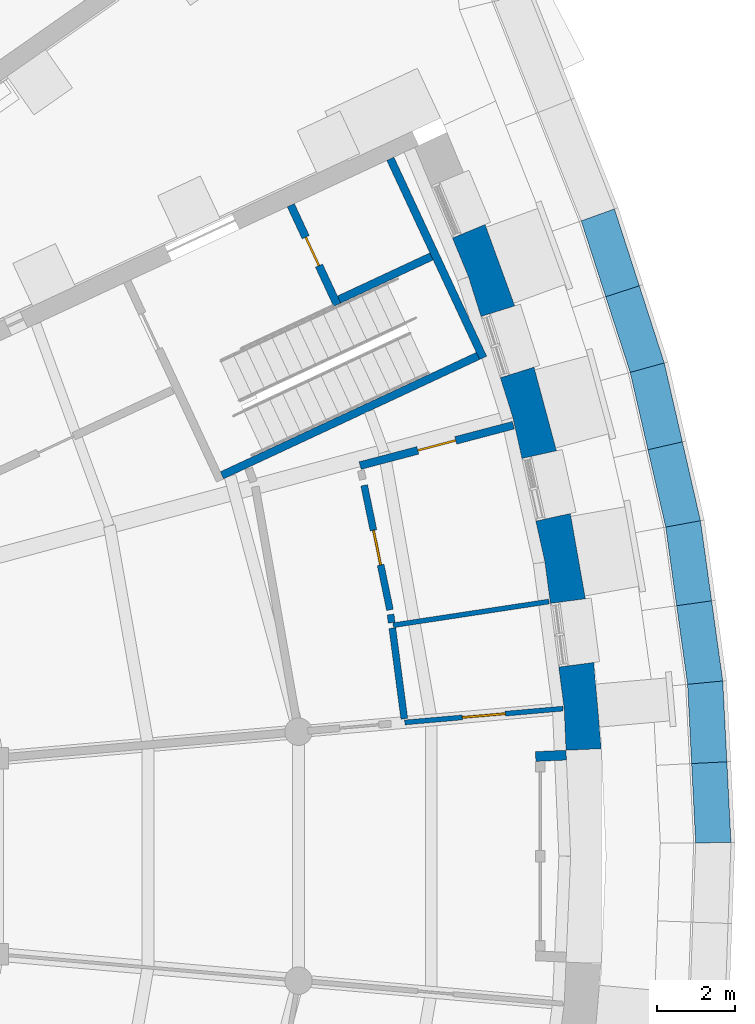
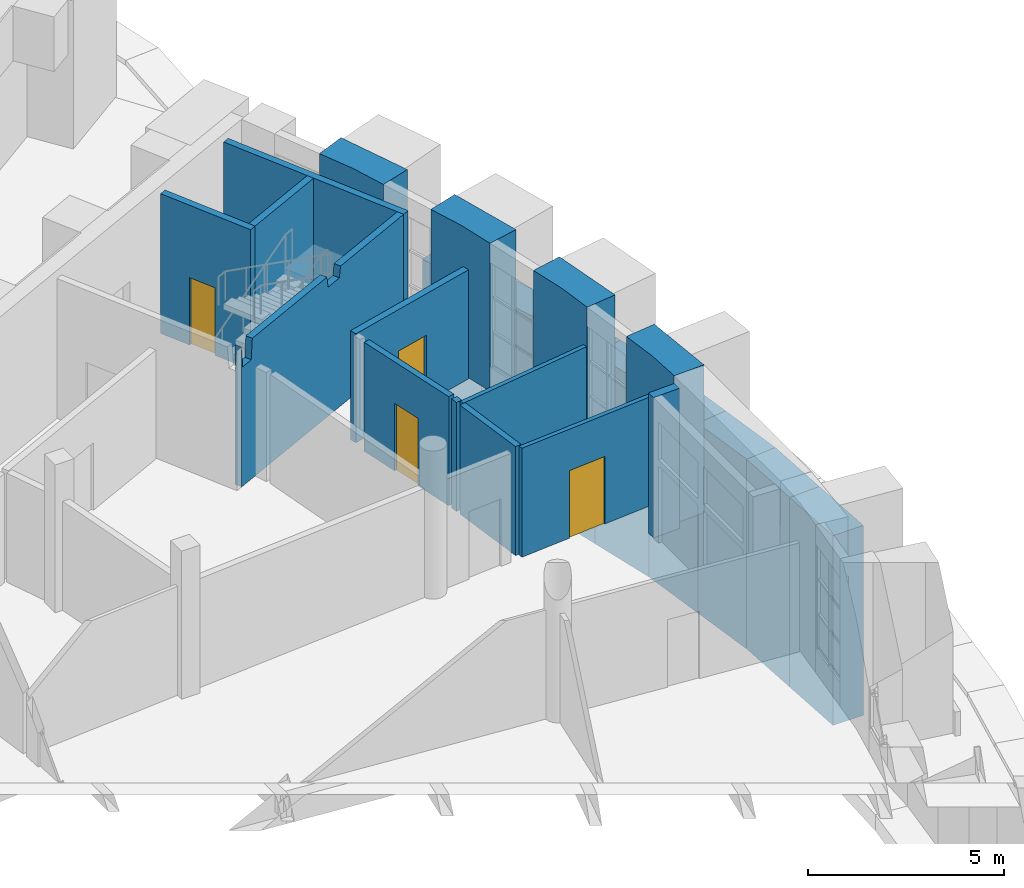
# One storey, part 55 of 85: 23 walls, 4 doors, 4 openings.
"""IFC4 building model written with IfcOpenShell, lengths in metres."""

from ifc_helpers import new_model, si_unit, direction, frame, frame_2d, origin, place, context, subcontext, project, spatial, polyline, rectangle, outline, extrude, material, layer, layer_set, type_object, element, fill, save


model = new_model("IFC4")

# Units and contexts
model_context = context("Model", 3, precision=1e-05, world=origin(), true_north=direction((0.0, 1.0)))
body_context = subcontext(model_context, "Body", "Model", "MODEL_VIEW")
ifc_project = project(units=[si_unit("LENGTHUNIT", "METRE"), si_unit("AREAUNIT", "SQUARE_METRE"), si_unit("VOLUMEUNIT", "CUBIC_METRE"), si_unit("PLANEANGLEUNIT", "RADIAN"), si_unit("MASSUNIT", "GRAM", prefix="KILO")], contexts=[model_context])

# Site, building, storey
site_placement = place(None, origin())
site = spatial("IfcSite", under=ifc_project, at=site_placement, CompositionType="ELEMENT")
building_placement = place(site_placement, origin())
building = spatial("IfcBuilding", under=site, at=building_placement, Name="Volute Hill Aquarium", CompositionType="ELEMENT")
storey_placement = place(building_placement, origin())
storey = spatial("IfcBuildingStorey", under=building, at=storey_placement, Name="L01", CompositionType="ELEMENT", Elevation=0.0)

# Walls
ifc_material_1 = material(Name="Concrete C30/37", Category="concrete")
ifc_layer_1 = layer(ifc_material_1, 0.199951171875)
ifc_layer_set_1 = layer_set([ifc_layer_1], Name="Core wall 200 REI 60")
wall_type_1 = type_object("IfcWallType", Name="Core wall 200 REI 60", PredefinedType="SHEAR", material=ifc_layer_set_1)
wall_1_placement = place(storey_placement, frame((34.31103515625, 9.710205078125, 0.0), z_axis=(0.0, 0.0, 1.0), x_axis=(0.906300917592, 0.422632992999, 0.0)))
element("IfcWall", 1, at=wall_1_placement, inside=storey, type_object=wall_type_1, Name="wc/S4-B/L01/side", PredefinedType="SHEAR", context=body_context, shape_type="SweptSolid", body=[
    extrude(outline(polyline([(0.0, 0.0), (7.199951171875, 0.0), (7.199951171875, 4.35009765625), (4.392578125, 4.35009765625), (4.342529296875, 4.010009765625), (3.842529296875, 4.010009765625), (3.79248046875, 4.35009765625), (0.477294921875, 4.35009765625), (0.42724609375, 3.7099609375), (0.050048828125, 3.7099609375), (0.0, 4.35009765625), (0.0, 0.0)])), frame((0.0, 0.10009765625, 0.0), z_axis=(0.0, -1.0, 0.0), x_axis=(1.0, 0.0, 0.0)), (0.0, 0.0, 1.0), 0.199951171875),
])
wall_2_placement = place(storey_placement, frame((38.6025390625, 17.780029296875, 0.0), z_axis=(0.0, 0.0, 1.0), x_axis=(0.422615758486, -0.906308954319, 0.0)))
element("IfcWall", 2, at=wall_2_placement, inside=storey, type_object=wall_type_1, Name="wc/S4-B/L01/out", PredefinedType="SHEAR", context=body_context, shape_type="SweptSolid", body=[
    extrude(rectangle(XDim=5.60009765625, YDim=0.199951171875, at=frame_2d((2.800048828125, 0.0))), origin(), (0.0, 0.0, 1.0), 4.35009765625),
])

# Wall, opening, door
ifc_material_2 = material(Name="Gypsum board on steel studs", Category="steel")
ifc_layer_2 = layer(ifc_material_2, 0.175048828125)
ifc_layer_set_2 = layer_set([ifc_layer_2], Name="Corridor partition 175 EI 60")
wall_type_2 = type_object("IfcWallType", Name="Corridor partition 175 EI 60", PredefinedType="PARTITIONING", material=ifc_layer_set_2)
wall_3_placement = place(storey_placement, frame((38.593505859375, 6.278564453125, 0.0), z_axis=(0.0, 0.0, 1.0), x_axis=(-0.202824517058, 0.97921510164, 0.0)))
wall_3 = element("IfcWall", 3, at=wall_3_placement, inside=storey, type_object=wall_type_2, Name="pw/S4/L01/017", PredefinedType="PARTITIONING", context=body_context, shape_type="SweptSolid", body=[
    extrude(rectangle(XDim=3.2451171875, YDim=0.175048828125, at=frame_2d((1.62255859375, 0.0))), origin(), (0.0, 0.0, 1.0), 3.389892578125),
])
opening_1_placement = place(wall_3_placement, frame((1.172607421875, 0.0, 0.0)))
opening_1 = element("IfcOpeningElement", 4, at=opening_1_placement, cuts=wall_3, Name="Opening D4.01.09", PredefinedType="OPENING", context=body_context, shape_type="SweptSolid", body=[
    extrude(rectangle(XDim=0.89990234375, YDim=2.10009765625, at=frame_2d((0.449951171875, 1.050048828125))), frame((0.0, 0.097412109375, 0.0), z_axis=(0.0, -1.0, 0.0), x_axis=(1.0, 0.0, 0.0)), (0.0, 0.0, 1.0), 0.195068359375),
])
ifc_material_3 = material(Name="Timber, fire-rated", Category="wood")
door_type_1 = type_object("IfcDoorType", Name="Door 900 x 2100 wc single EI1 30", OperationType="SINGLE_SWING_LEFT", PredefinedType="DOOR", material=ifc_material_3)
door_1_placement = place(opening_1_placement, origin())
door_1 = element("IfcDoor", 5, at=door_1_placement, inside=storey, type_object=door_type_1, Name="d/S4/L01/09", OperationType="SINGLE_SWING_LEFT", OverallHeight=2.10009765625, OverallWidth=0.89990234375, PredefinedType="DOOR", context=body_context, shape_type="SweptSolid", body=[
    extrude(rectangle(XDim=0.89990234375, YDim=2.10009765625, at=frame_2d((0.449951171875, 1.050048828125))), frame((0.0, 0.02490234375, 0.0), z_axis=(0.0, -1.0, 0.0), x_axis=(1.0, 0.0, 0.0)), (0.0, 0.0, 1.0), 0.050048828125),
])
fill(opening_1, door_1)

# Walls
wall_4_placement = place(storey_placement, frame((38.60888671875, 6.162109375, 0.0), z_axis=(0.0, 0.0, 1.0), x_axis=(0.130275574496, -0.9914778236, 0.0)))
element("IfcWall", 6, at=wall_4_placement, inside=storey, type_object=wall_type_2, Name="pw/S4/L01/018", PredefinedType="PARTITIONING", context=body_context, shape_type="SweptSolid", body=[
    extrude(rectangle(XDim=0.211669921875, YDim=0.175048828125, at=frame_2d((0.10595703125, 0.0))), origin(), (0.0, 0.0, 1.0), 3.389892578125),
])
wall_5_placement = place(storey_placement, frame((38.654296875, 5.815185546875, 0.0), z_axis=(0.0, 0.0, 1.0), x_axis=(0.130546512768, -0.991442185911, 0.0)))
element("IfcWall", 7, at=wall_5_placement, inside=storey, type_object=wall_type_2, Name="pw/S4/L01/019", PredefinedType="PARTITIONING", context=body_context, shape_type="SweptSolid", body=[
    extrude(rectangle(XDim=2.333984375, YDim=0.175048828125, at=frame_2d((1.1669921875, 0.0))), origin(), (0.0, 0.0, 1.0), 3.389892578125),
])

# Wall, opening, door
ifc_material_4 = material(Name="Masonry blockwork", Category="masonry")
ifc_layer_3 = layer(ifc_material_4, 0.199951171875)
ifc_layer_set_3 = layer_set([ifc_layer_3], Name="Fire partition 200 EI 60")
wall_type_3 = type_object("IfcWallType", Name="Fire partition 200 EI 60", PredefinedType="PARTITIONING", material=ifc_layer_set_3)
wall_6_placement = place(storey_placement, frame((37.831298828125, 9.958740234375, 0.0), z_axis=(0.0, 0.0, 1.0), x_axis=(0.967062017207, 0.254540870738, 0.0)))
wall_6 = element("IfcWall", 8, at=wall_6_placement, inside=storey, type_object=wall_type_3, Name="pw/S4/L01/015", PredefinedType="PARTITIONING", context=body_context, shape_type="SweptSolid", body=[
    extrude(rectangle(XDim=4.041748046875, YDim=0.199951171875, at=frame_2d((2.02099609375, 0.0))), origin(), (0.0, 0.0, 1.0), 3.389892578125),
])
opening_2_placement = place(wall_6_placement, frame((1.52099609375, 0.0, 0.0)))
opening_2 = element("IfcOpeningElement", 9, at=opening_2_placement, cuts=wall_6, Name="Opening D4.01.10", PredefinedType="OPENING", context=body_context, shape_type="SweptSolid", body=[
    extrude(rectangle(XDim=1.0, YDim=2.10009765625, at=frame_2d((0.5, 1.050048828125))), frame((0.0, 0.10986328125, 0.0), z_axis=(0.0, -1.0, 0.0), x_axis=(1.0, 0.0, 0.0)), (0.0, 0.0, 1.0), 0.219970703125),
])
ifc_material_5 = material(Name="Timber, fire-rated", Category="wood")
door_type_2 = type_object("IfcDoorType", Name="Door 1000 x 2100 single EI1 30", OperationType="SINGLE_SWING_LEFT", PredefinedType="DOOR", material=ifc_material_5)
door_2_placement = place(opening_2_placement, origin())
door_2 = element("IfcDoor", 10, at=door_2_placement, inside=storey, type_object=door_type_2, Name="d/S4/L01/10", OperationType="SINGLE_SWING_RIGHT", OverallHeight=2.10009765625, OverallWidth=1.0, PredefinedType="DOOR", context=body_context, shape_type="SweptSolid", body=[
    extrude(rectangle(XDim=1.0, YDim=2.10009765625, at=frame_2d((0.5, 1.050048828125))), frame((0.0, 0.02490234375, 0.0), z_axis=(0.0, -1.0, 0.0), x_axis=(1.0, 0.0, 0.0)), (0.0, 0.0, 1.0), 0.050048828125),
])
fill(opening_2, door_2)

# Walls
ifc_material_6 = material(Name="Precast concrete C40/50", Category="concrete")
ifc_layer_4 = layer(ifc_material_6, 0.89990234375)
ifc_layer_set_4 = layer_set([ifc_layer_4], Name="Outer pier precast concrete C40/50 900")
wall_type_4 = type_object("IfcWallType", Name="Outer pier precast concrete C40/50 900", PredefinedType="NOTDEFINED", material=ifc_layer_set_4)
wall_7_placement = place(storey_placement, origin())
element("IfcWall", 11, at=wall_7_placement, inside=storey, type_object=wall_type_4, Name="Outer pier OWP S4 L01 7", PredefinedType="NOTDEFINED", context=body_context, shape_type="SweptSolid", body=[
    extrude(outline(polyline([(43.08154296875, 2.700439453125), (43.980712890625, 2.73974609375), (43.788330078125, 4.93896484375), (42.89599609375, 4.821533203125), (43.03515625, 3.76513671875), (43.08154296875, 2.700439453125)])), origin(), (0.0, 0.0, 1.0), 4.60009765625),
])
wall_8_placement = place(storey_placement, origin())
element("IfcWall", 12, at=wall_8_placement, inside=storey, type_object=wall_type_4, Name="Outer pier OWP S4 L01 8", PredefinedType="NOTDEFINED", context=body_context, shape_type="SweptSolid", body=[
    extrude(outline(polyline([(42.682373046875, 6.445068359375), (43.57470703125, 6.5625), (43.19140625, 8.736572265625), (42.312744140625, 8.541748046875), (42.543212890625, 7.50146484375), (42.682373046875, 6.445068359375)])), origin(), (0.0, 0.0, 1.0), 4.60009765625),
])
wall_9_placement = place(storey_placement, origin())
element("IfcWall", 13, at=wall_9_placement, inside=storey, type_object=wall_type_4, Name="Outer pier OWP S4 L01 9", PredefinedType="NOTDEFINED", context=body_context, shape_type="SweptSolid", body=[
    extrude(outline(polyline([(41.958251953125, 10.140380859375), (42.8369140625, 10.335205078125), (42.265625, 12.4677734375), (41.4072265625, 12.197265625), (41.7275390625, 11.180908203125), (41.958251953125, 10.140380859375)])), origin(), (0.0, 0.0, 1.0), 4.60009765625),
])
wall_10_placement = place(storey_placement, origin())
element("IfcWall", 14, at=wall_10_placement, inside=storey, type_object=wall_type_4, Name="Outer pier OWP S4 L01 10", PredefinedType="NOTDEFINED", context=body_context, shape_type="SweptSolid", body=[
    extrude(outline(polyline([(40.914794921875, 13.7587890625), (41.773193359375, 14.029541015625), (41.01806640625, 16.10400390625), (40.1865234375, 15.759765625), (40.59423828125, 14.775146484375), (40.914794921875, 13.7587890625)])), origin(), (0.0, 0.0, 1.0), 4.60009765625),
])
ifc_material_7 = material(Name="Concrete C30/37", Category="concrete")
ifc_layer_5 = layer(ifc_material_7, 0.25)
ifc_layer_set_5 = layer_set([ifc_layer_5], Name="Portal cheek wall 250")
wall_type_5 = type_object("IfcWallType", Name="Portal cheek wall 250", PredefinedType="NOTDEFINED", material=ifc_layer_set_5)
wall_11_placement = place(storey_placement, origin())
element("IfcWall", 15, at=wall_11_placement, inside=storey, type_object=wall_type_5, Name="Portal cheek wall OWN S4 L01 B", PredefinedType="NOTDEFINED", context=body_context, shape_type="SweptSolid", body=[
    extrude(outline(polyline([(43.08154296875, 2.700439453125), (42.30224609375, 2.66650390625), (42.313232421875, 2.416748046875), (43.092529296875, 2.45068359375), (43.08154296875, 2.700439453125)])), origin(), (0.0, 0.0, 1.0), 4.360107421875),
])

# Wall, opening, door
ifc_material_8 = material(Name="Masonry blockwork", Category="masonry")
ifc_layer_6 = layer(ifc_material_8, 0.199951171875)
ifc_layer_set_6 = layer_set([ifc_layer_6], Name="Riser wall 200 EI 60")
wall_type_6 = type_object("IfcWallType", Name="Riser wall 200 EI 60", PredefinedType="SOLIDWALL", material=ifc_layer_set_6)
wall_12_placement = place(storey_placement, frame((36.06494140625, 16.5966796875, 0.0), z_axis=(0.0, 0.0, 1.0), x_axis=(0.422632457081, -0.906301167505, 0.0)))
wall_12 = element("IfcWall", 16, at=wall_12_placement, inside=storey, type_object=wall_type_6, Name="wc/S4-B/L01/front", PredefinedType="SOLIDWALL", context=body_context, shape_type="SweptSolid", body=[
    extrude(rectangle(XDim=2.800048828125, YDim=0.199951171875, at=frame_2d((1.39990234375, 0.0))), origin(), (0.0, 0.0, 1.0), 4.35009765625),
])
opening_3_placement = place(wall_12_placement, frame((0.89990234375, 0.0, 0.0)))
opening_3 = element("IfcOpeningElement", 17, at=opening_3_placement, cuts=wall_12, Name="Opening D4.01.BR", PredefinedType="OPENING", context=body_context, shape_type="SweptSolid", body=[
    extrude(rectangle(XDim=0.800048828125, YDim=2.10009765625, at=frame_2d((0.39990234375, 1.050048828125))), frame((0.0, 0.10986328125, 0.0), z_axis=(0.0, -1.0, 0.0), x_axis=(1.0, 0.0, 0.0)), (0.0, 0.0, 1.0), 0.219970703125),
])
ifc_material_9 = material(Name="Steel, fire-rated", Category="steel")
door_type_3 = type_object("IfcDoorType", Name="Door 800 x 2100 riser EI1 30", OperationType="SINGLE_SWING_LEFT", PredefinedType="DOOR", material=ifc_material_9)
door_3_placement = place(opening_3_placement, origin())
door_3 = element("IfcDoor", 18, at=door_3_placement, inside=storey, type_object=door_type_3, Name="d/S4-B/L01/rs", OperationType="SINGLE_SWING_LEFT", OverallHeight=2.10009765625, OverallWidth=0.800048828125, PredefinedType="DOOR", context=body_context, shape_type="SweptSolid", body=[
    extrude(rectangle(XDim=0.800048828125, YDim=2.10009765625, at=frame_2d((0.39990234375, 1.050048828125))), frame((0.0, 0.02490234375, 0.0), z_axis=(0.0, -1.0, 0.0), x_axis=(1.0, 0.0, 0.0)), (0.0, 0.0, 1.0), 0.050048828125),
])
fill(opening_3, door_3)

# Walls
wall_13_placement = place(storey_placement, frame((37.296630859375, 14.19189453125, 0.0), z_axis=(0.0, 0.0, 1.0), x_axis=(0.906300648467, 0.422633570115, 0.0)))
element("IfcWall", 19, at=wall_13_placement, inside=storey, type_object=wall_type_6, Name="wc/S4-B/L01/shaft-side", PredefinedType="SOLIDWALL", context=body_context, shape_type="SweptSolid", body=[
    extrude(rectangle(XDim=2.60009765625, YDim=0.199951171875, at=frame_2d((1.300048828125, 0.0))), origin(), (0.0, 0.0, 1.0), 4.35009765625),
])
ifc_material_10 = material(Name="Concrete C30/37", Category="concrete")
ifc_layer_7 = layer(ifc_material_10, 0.89990234375)
ifc_layer_set_7 = layer_set([ifc_layer_7], Name="Site edge retaining wall C30/37 900")
wall_type_7 = type_object("IfcWallType", Name="Site edge retaining wall C30/37 900", PredefinedType="SOLIDWALL", material=ifc_layer_set_7)
wall_14_placement = place(storey_placement, frame((0.0, 0.0, -6.0)))
element("IfcWall", 20, at=wall_14_placement, inside=storey, type_object=wall_type_7, Name="rw/E49UP/L01/0", PredefinedType="SOLIDWALL", context=body_context, shape_type="SweptSolid", body=[
    extrude(outline(polyline([(47.287841796875, 0.3466796875), (47.182861328125, 2.40673828125), (46.283935546875, 2.361083984375), (46.386962890625, 0.340087890625), (47.287841796875, 0.3466796875)])), origin(), (0.0, 0.0, 1.0), 5.89990234375),
])
wall_15_placement = place(storey_placement, frame((0.0, 0.0, -6.0)))
element("IfcWall", 21, at=wall_15_placement, inside=storey, type_object=wall_type_7, Name="rw/E49UP/L01/1", PredefinedType="SOLIDWALL", context=body_context, shape_type="SweptSolid", body=[
    extrude(outline(polyline([(47.182861328125, 2.40673828125), (47.07763671875, 4.467041015625), (46.180908203125, 4.3818359375), (46.283935546875, 2.361083984375), (47.182861328125, 2.40673828125)])), origin(), (0.0, 0.0, 1.0), 5.89990234375),
])
wall_16_placement = place(storey_placement, frame((0.0, 0.0, -6.0)))
element("IfcWall", 22, at=wall_16_placement, inside=storey, type_object=wall_type_7, Name="rw/E50UP/L01/0", PredefinedType="SOLIDWALL", context=body_context, shape_type="SweptSolid", body=[
    extrude(outline(polyline([(47.07763671875, 4.467041015625), (46.79345703125, 6.510009765625), (45.902099609375, 6.385986328125), (46.180908203125, 4.3818359375), (46.180908203125, 4.3818359375), (47.07763671875, 4.467041015625), (47.07763671875, 4.467041015625)])), origin(), (0.0, 0.0, 1.0), 5.89990234375),
])
wall_17_placement = place(storey_placement, frame((0.0, 0.0, -6.0)))
element("IfcWall", 23, at=wall_17_placement, inside=storey, type_object=wall_type_7, Name="rw/E50UP/L01/1", PredefinedType="SOLIDWALL", context=body_context, shape_type="SweptSolid", body=[
    extrude(outline(polyline([(46.50927734375, 8.552978515625), (46.50927734375, 8.552978515625), (45.623291015625, 8.389892578125), (45.623291015625, 8.389892578125), (45.902099609375, 6.385986328125), (46.79345703125, 6.510009765625), (46.50927734375, 8.552978515625)])), origin(), (0.0, 0.0, 1.0), 5.89990234375),
])
wall_18_placement = place(storey_placement, frame((0.0, 0.0, -6.0)))
element("IfcWall", 24, at=wall_18_placement, inside=storey, type_object=wall_type_7, Name="rw/E51UP/L01/0", PredefinedType="SOLIDWALL", context=body_context, shape_type="SweptSolid", body=[
    extrude(outline(polyline([(46.50927734375, 8.552978515625), (46.0478515625, 10.5634765625), (45.170654296875, 10.362060546875), (45.623291015625, 8.389892578125), (46.50927734375, 8.552978515625)])), origin(), (0.0, 0.0, 1.0), 5.89990234375),
])
wall_19_placement = place(storey_placement, frame((0.0, 0.0, -6.0)))
element("IfcWall", 25, at=wall_19_placement, inside=storey, type_object=wall_type_7, Name="rw/E51UP/L01/1", PredefinedType="SOLIDWALL", context=body_context, shape_type="SweptSolid", body=[
    extrude(outline(polyline([(46.0478515625, 10.5634765625), (45.586669921875, 12.573974609375), (44.71826171875, 12.33447265625), (44.71826171875, 12.33447265625), (45.170654296875, 10.362060546875), (46.0478515625, 10.5634765625)])), origin(), (0.0, 0.0, 1.0), 5.89990234375),
])
wall_20_placement = place(storey_placement, frame((0.0, 0.0, -6.0)))
element("IfcWall", 26, at=wall_20_placement, inside=storey, type_object=wall_type_7, Name="rw/E52UP/L01/0", PredefinedType="SOLIDWALL", context=body_context, shape_type="SweptSolid", body=[
    extrude(outline(polyline([(45.586669921875, 12.573974609375), (44.950927734375, 14.54052734375), (44.094482421875, 14.263671875), (44.71826171875, 12.33447265625), (45.586669921875, 12.573974609375), (45.586669921875, 12.573974609375)])), origin(), (0.0, 0.0, 1.0), 5.89990234375),
])
wall_21_placement = place(storey_placement, frame((0.0, 0.0, -6.0)))
element("IfcWall", 27, at=wall_21_placement, inside=storey, type_object=wall_type_7, Name="rw/E52UP/L01/1", PredefinedType="SOLIDWALL", context=body_context, shape_type="SweptSolid", body=[
    extrude(outline(polyline([(44.950927734375, 14.54052734375), (44.31640625, 16.502197265625), (43.468994140625, 16.197509765625), (43.468994140625, 16.197509765625), (44.094482421875, 14.263671875), (44.950927734375, 14.54052734375)])), origin(), (0.0, 0.0, 1.0), 5.89990234375),
])

# Wall, opening, door
ifc_material_11 = material(Name="Gypsum board on steel studs, tiled", Category="steel")
ifc_layer_8 = layer(ifc_material_11, 0.125)
ifc_layer_set_8 = layer_set([ifc_layer_8], Name="Wet-area partition 125")
wall_type_8 = type_object("IfcWallType", Name="Wet-area partition 125", PredefinedType="PARTITIONING", material=ifc_layer_set_8)
wall_22_placement = place(storey_placement, frame((38.97119140625, 3.409423828125, 0.0), z_axis=(0.0, 0.0, 1.0), x_axis=(0.996193390316, 0.087170689404, 0.0)))
wall_22 = element("IfcWall", 28, at=wall_22_placement, inside=storey, type_object=wall_type_8, Name="pw/S4/L01/014", PredefinedType="PARTITIONING", context=body_context, shape_type="SweptSolid", body=[
    extrude(rectangle(XDim=4.0498046875, YDim=0.125, at=frame_2d((2.02490234375, 0.0))), origin(), (0.0, 0.0, 1.0), 3.389892578125),
])
opening_4_placement = place(wall_22_placement, frame((1.47509765625, 0.0, 0.0)))
opening_4 = element("IfcOpeningElement", 29, at=opening_4_placement, cuts=wall_22, Name="Opening D4.01.08", PredefinedType="OPENING", context=body_context, shape_type="SweptSolid", body=[
    extrude(rectangle(XDim=1.10009765625, YDim=2.10009765625, at=frame_2d((0.550048828125, 1.050048828125))), frame((0.0, 0.072509765625, 0.0), z_axis=(0.0, -1.0, 0.0), x_axis=(1.0, 0.0, 0.0)), (0.0, 0.0, 1.0), 0.14501953125),
])
ifc_material_12 = material(Name="Timber", Category="wood")
door_type_4 = type_object("IfcDoorType", Name="Door 1100 x 2100 accessible WC", OperationType="SINGLE_SWING_LEFT", PredefinedType="DOOR", material=ifc_material_12)
door_4_placement = place(opening_4_placement, origin())
door_4 = element("IfcDoor", 30, at=door_4_placement, inside=storey, type_object=door_type_4, Name="d/S4/L01/08", OperationType="SINGLE_SWING_RIGHT", OverallHeight=2.10009765625, OverallWidth=1.10009765625, PredefinedType="DOOR", context=body_context, shape_type="SweptSolid", body=[
    extrude(rectangle(XDim=1.10009765625, YDim=2.10009765625, at=frame_2d((0.550048828125, 1.050048828125))), frame((0.0, 0.02490234375, 0.0), z_axis=(0.0, -1.0, 0.0), x_axis=(1.0, 0.0, 0.0)), (0.0, 0.0, 1.0), 0.050048828125),
])
fill(opening_4, door_4)

# Wall
wall_23_placement = place(storey_placement, frame((38.67431640625, 5.8876953125, 0.0), z_axis=(0.0, 0.0, 1.0), x_axis=(0.988616283024, 0.150458781533, 0.0)))
element("IfcWall", 31, at=wall_23_placement, inside=storey, type_object=wall_type_8, Name="pw/S4/L01/016", PredefinedType="PARTITIONING", context=body_context, shape_type="SweptSolid", body=[
    extrude(rectangle(XDim=4.017578125, YDim=0.125, at=frame_2d((2.0087890625, 0.0))), origin(), (0.0, 0.0, 1.0), 3.389892578125),
])

save(model, "model.ifc")
